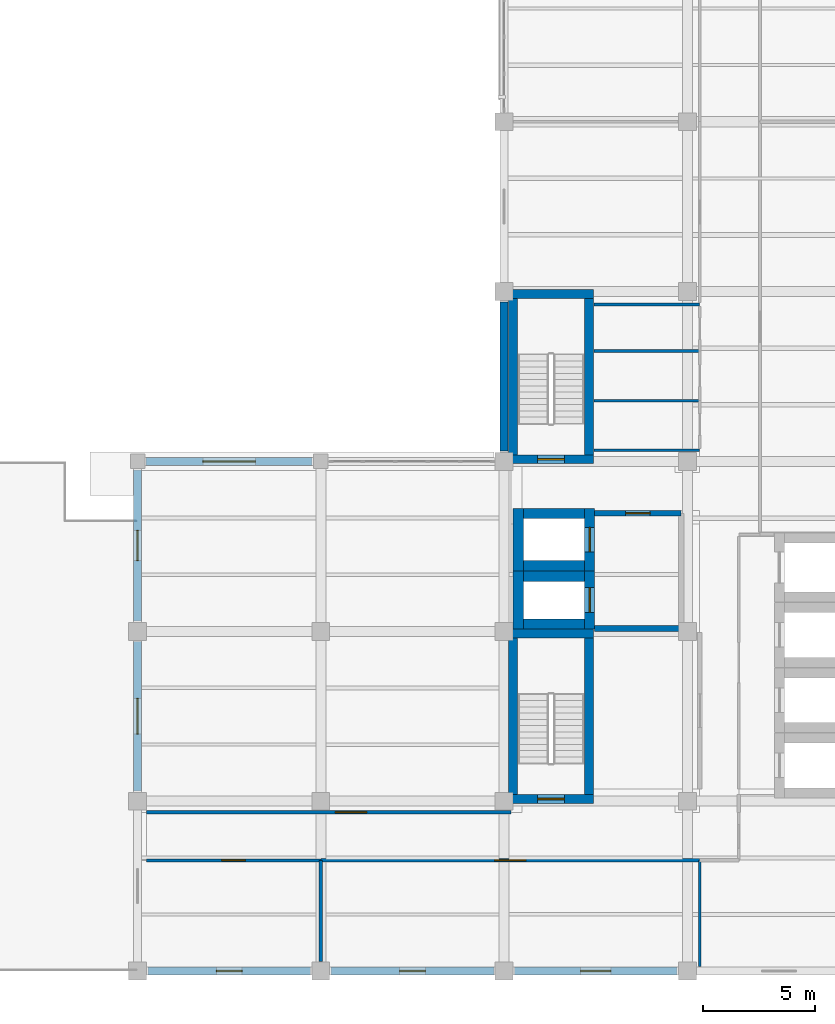
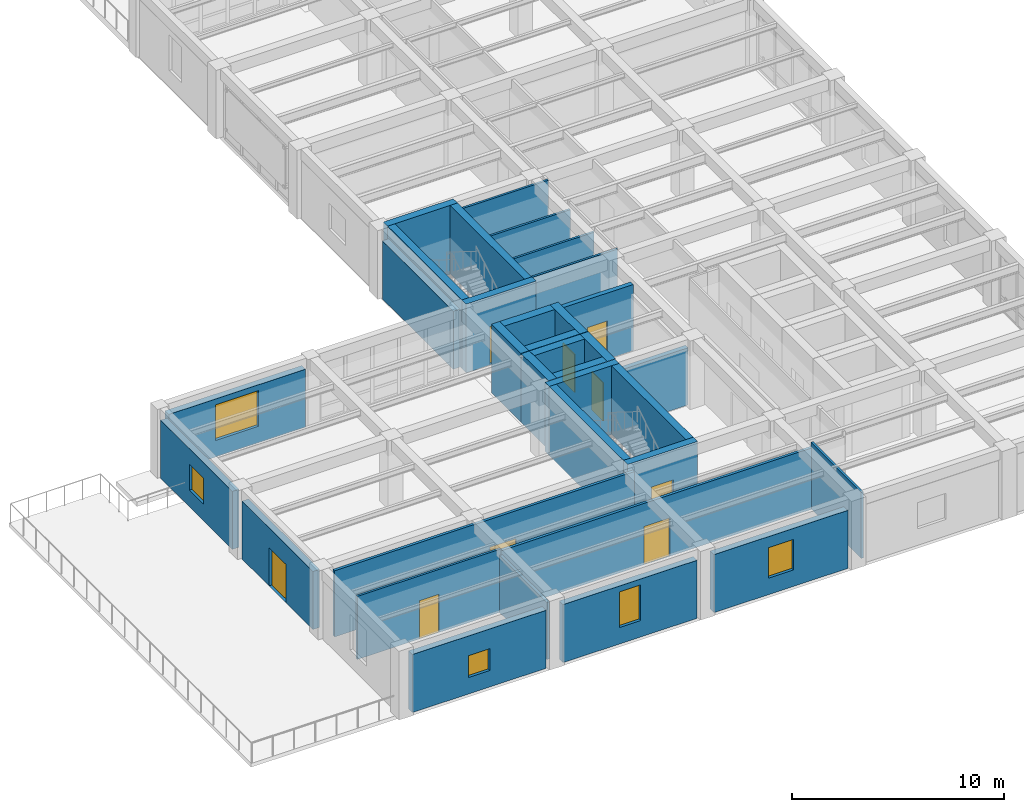
# One storey, part 7 of 14: 34 walls, 9 doors, 5 windows, 14 openings.
"""IFC4 building model written with IfcOpenShell, lengths in metres."""

from ifc_helpers import new_model, si_unit, direction, frame, frame_2d, origin, place, context, subcontext, project, spatial, rectangle, extrude, material, layer, layer_set, type_object, element, fill, save


model = new_model("IFC4")

# Units and contexts
model_context = context("Model", 3, precision=1e-05, world=origin(), true_north=direction((0.0, 1.0)))
body_context = subcontext(model_context, "Body", "Model", "MODEL_VIEW")
ifc_project = project(units=[si_unit("LENGTHUNIT", "METRE"), si_unit("AREAUNIT", "SQUARE_METRE"), si_unit("VOLUMEUNIT", "CUBIC_METRE"), si_unit("PLANEANGLEUNIT", "RADIAN"), si_unit("MASSUNIT", "GRAM", prefix="KILO")], contexts=[model_context])

# Site, building, storey
site_placement = place(None, origin())
site = spatial("IfcSite", under=ifc_project, at=site_placement, CompositionType="ELEMENT")
building_placement = place(site_placement, origin())
building = spatial("IfcBuilding", under=site, at=building_placement, Name="Qandaris Square Conservatory and Botanical Centre", CompositionType="ELEMENT")
storey_placement = place(building_placement, frame((0.0, 0.0, 36.60009765625)))
storey = spatial("IfcBuildingStorey", under=building, at=storey_placement, Name="L08", CompositionType="ELEMENT", Elevation=36.60009765625)

# Wall, opening, door
ifc_material_1 = material(Name="Gypsum Plasterboard", Category="gypsum")
ifc_layer_1 = layer(ifc_material_1, 0.14990234375)
ifc_layer_set_1 = layer_set([ifc_layer_1], Name="Gypsum Plasterboard")
wall_type_1 = type_object("IfcWallType", Name="Acoustic Laboratory Partition 150mm", PredefinedType="PARTITIONING", material=ifc_layer_set_1)
wall_1_placement = place(storey_placement, frame((147.949951171875, 21.550048828125, 0.0), z_axis=(0.0, 0.0, 1.0), x_axis=(-1.0, 0.0, 0.0)))
wall_1 = element("IfcWall", 1, at=wall_1_placement, inside=storey, type_object=wall_type_1, Name="Interior Partition IW-L08-0302", PredefinedType="PARTITIONING", context=body_context, shape_type="SweptSolid", body=[
    extrude(rectangle(XDim=16.949951171875, YDim=0.14990234375, at=frame_2d((8.47509765625, 0.0))), origin(), (0.0, 0.0, 1.0), 3.52490234375),
])
opening_1_placement = place(wall_1_placement, frame((7.77490234375, 0.0, 0.0)))
opening_1 = element("IfcOpeningElement", 2, at=opening_1_placement, cuts=wall_1, Name="Opening D-LAB1", PredefinedType="OPENING", context=body_context, shape_type="SweptSolid", body=[
    extrude(rectangle(XDim=1.39990234375, YDim=2.199951171875, at=frame_2d((0.699951171875, 1.10009765625))), frame((0.0, 0.0869140625, 0.0), z_axis=(0.0, -1.0, 0.0), x_axis=(1.0, 0.0, 0.0)), (0.0, 0.0, 1.0), 0.173828125),
])
ifc_material_2 = material(Name="Engineered Oak Timber", Category="wood")
door_type_1 = type_object("IfcDoorType", Name="Research Laboratory Leaf-and-Half Door 1400x2200", OperationType="DOUBLE_DOOR_SINGLE_SWING", PredefinedType="DOOR", material=ifc_material_2)
door_1_placement = place(opening_1_placement, frame((1.39990234375, 0.0, 0.0), z_axis=(0.0, 0.0, 1.0), x_axis=(-1.0, 0.0, 0.0)))
door_1 = element("IfcDoor", 3, at=door_1_placement, inside=storey, type_object=door_type_1, Name="DR-0270 Date Palm Genomics Suite Door", OperationType="DOUBLE_DOOR_SINGLE_SWING", OverallHeight=2.199951171875, OverallWidth=1.39990234375, PredefinedType="DOOR", context=body_context, shape_type="SweptSolid", body=[
    extrude(rectangle(XDim=1.39990234375, YDim=2.199951171875, at=frame_2d((0.699951171875, 1.10009765625))), frame((0.0, 0.02490234375, 0.0), z_axis=(0.0, -1.0, 0.0), x_axis=(1.0, 0.0, 0.0)), (0.0, 0.0, 1.0), 0.050048828125),
])
fill(opening_1, door_1)

wall_2_placement = place(storey_placement, frame((123.199951171875, 23.699951171875, 0.0), z_axis=(0.0, 0.0, 1.0), x_axis=(1.0, 0.0, 0.0)))
wall_2 = element("IfcWall", 4, at=wall_2_placement, inside=storey, type_object=wall_type_1, Name="Interior Partition IW-L08-0310", PredefinedType="PARTITIONING", context=body_context, shape_type="SweptSolid", body=[
    extrude(rectangle(XDim=16.300048828125, YDim=0.14990234375, at=frame_2d((8.14990234375, 0.0))), origin(), (0.0, 0.0, 1.0), 3.804931640625),
])
opening_2_placement = place(wall_2_placement, frame((8.452880859375, 0.0, 0.0)))
opening_2 = element("IfcOpeningElement", 5, at=opening_2_placement, cuts=wall_2, Name="Opening D-LAB1", PredefinedType="OPENING", context=body_context, shape_type="SweptSolid", body=[
    extrude(rectangle(XDim=1.39990234375, YDim=2.199951171875, at=frame_2d((0.699951171875, 1.10009765625))), frame((0.0, 0.0869140625, 0.0), z_axis=(0.0, -1.0, 0.0), x_axis=(1.0, 0.0, 0.0)), (0.0, 0.0, 1.0), 0.173828125),
])
door_2_placement = place(opening_2_placement, frame((1.39990234375, 0.0, 0.0), z_axis=(0.0, 0.0, 1.0), x_axis=(-1.0, 0.0, 0.0)))
door_2 = element("IfcDoor", 6, at=door_2_placement, inside=storey, type_object=door_type_1, Name="DR-0272 Rhizosphere Biology Research Laboratory Door", OperationType="DOUBLE_DOOR_SINGLE_SWING", OverallHeight=2.199951171875, OverallWidth=1.39990234375, PredefinedType="DOOR", context=body_context, shape_type="SweptSolid", body=[
    extrude(rectangle(XDim=1.39990234375, YDim=2.199951171875, at=frame_2d((0.699951171875, 1.10009765625))), frame((0.0, 0.02490234375, 0.0), z_axis=(0.0, -1.0, 0.0), x_axis=(1.0, 0.0, 0.0)), (0.0, 0.0, 1.0), 0.050048828125),
])
fill(opening_2, door_2)

# Wall
wall_3_placement = place(storey_placement, frame((131.0, 21.550048828125, 0.0), z_axis=(0.0, 0.0, 1.0), x_axis=(0.0, -1.0, 0.0)))
element("IfcWall", 7, at=wall_3_placement, inside=storey, type_object=wall_type_1, Name="Interior Partition IW-L08-0311", PredefinedType="PARTITIONING", context=body_context, shape_type="SweptSolid", body=[
    extrude(rectangle(XDim=4.530029296875, YDim=0.14990234375, at=frame_2d((2.26513671875, 0.0))), origin(), (0.0, 0.0, 1.0), 3.284912109375),
])

# Wall, opening, window
ifc_material_3 = material(Name="Precast concrete C40/50", Category="concrete")
ifc_layer_2 = layer(ifc_material_3, 0.360107421875)
ifc_layer_set_2 = layer_set([ifc_layer_2], Name="Precast concrete C40/50")
wall_type_2 = type_object("IfcWallType", Name="Architectural Precast Cladding Wall 360mm", PredefinedType="SOLIDWALL", material=ifc_layer_set_2)
wall_4_placement = place(storey_placement, frame((123.260009765625, 16.60009765625, 0.0), z_axis=(0.0, 0.0, 1.0), x_axis=(1.0, 0.0, 0.0)))
wall_4 = element("IfcWall", 8, at=wall_4_placement, inside=storey, type_object=wall_type_2, Name="Exterior Wall EW-TWR-L08-1-1", PredefinedType="SOLIDWALL", context=body_context, shape_type="SweptSolid", body=[
    extrude(rectangle(XDim=7.280029296875, YDim=0.360107421875, at=frame_2d((3.64013671875, 0.0))), origin(), (0.0, 0.0, 1.0), 3.3349609375),
])
opening_3_placement = place(wall_4_placement, frame((3.06494140625, 0.0, 0.949951171875)))
opening_3 = element("IfcOpeningElement", 9, at=opening_3_placement, cuts=wall_4, Name="Opening WN-17", PredefinedType="OPENING", context=body_context, shape_type="SweptSolid", body=[
    extrude(rectangle(XDim=1.14990234375, YDim=1.25, at=frame_2d((0.574951171875, 0.625))), frame((0.0, 0.19189453125, 0.0), z_axis=(0.0, -1.0, 0.0), x_axis=(1.0, 0.0, 0.0)), (0.0, 0.0, 1.0), 0.384033203125),
])
ifc_material_4 = material(Name="Tempered Low-E Glass", Category="glass")
window_type_1 = type_object("IfcWindowType", Name="Solar Control Window 1150x1250", PartitioningType="SINGLE_PANEL", PredefinedType="WINDOW", material=ifc_material_4)
window_1_placement = place(opening_3_placement, origin())
window_1 = element("IfcWindow", 10, at=window_1_placement, inside=storey, type_object=window_type_1, Name="Window EW-TWR-L08-1-1", OverallHeight=1.25, OverallWidth=1.14990234375, PartitioningType="SINGLE_PANEL", PredefinedType="WINDOW", context=body_context, shape_type="SweptSolid", body=[
    extrude(rectangle(XDim=1.14990234375, YDim=1.25, at=frame_2d((0.574951171875, 0.625))), frame((0.0, 0.030029296875, 0.0), z_axis=(0.0, -1.0, 0.0), x_axis=(1.0, 0.0, 0.0)), (0.0, 0.0, 1.0), 0.06005859375),
])
fill(opening_3, window_1)

wall_5_placement = place(storey_placement, frame((131.4599609375, 16.60009765625, 0.0), z_axis=(0.0, 0.0, 1.0), x_axis=(1.0, 0.0, 0.0)))
wall_5 = element("IfcWall", 11, at=wall_5_placement, inside=storey, type_object=wall_type_2, Name="Exterior Wall EW-TWR-L08-1-2", PredefinedType="SOLIDWALL", context=body_context, shape_type="SweptSolid", body=[
    extrude(rectangle(XDim=7.280029296875, YDim=0.360107421875, at=frame_2d((3.64013671875, 0.0))), origin(), (0.0, 0.0, 1.0), 3.3349609375),
])
opening_4_placement = place(wall_5_placement, frame((3.06494140625, 0.0, 0.949951171875)))
opening_4 = element("IfcOpeningElement", 12, at=opening_4_placement, cuts=wall_5, Name="Opening WN-20", PredefinedType="OPENING", context=body_context, shape_type="SweptSolid", body=[
    extrude(rectangle(XDim=1.14990234375, YDim=2.050048828125, at=frame_2d((0.574951171875, 1.02490234375))), frame((0.0, 0.19189453125, 0.0), z_axis=(0.0, -1.0, 0.0), x_axis=(1.0, 0.0, 0.0)), (0.0, 0.0, 1.0), 0.384033203125),
])
window_type_2 = type_object("IfcWindowType", Name="Solar Control Window 1150x2050", PartitioningType="SINGLE_PANEL", PredefinedType="WINDOW", material=ifc_material_4)
window_2_placement = place(opening_4_placement, origin())
window_2 = element("IfcWindow", 13, at=window_2_placement, inside=storey, type_object=window_type_2, Name="Window EW-TWR-L08-1-2", OverallHeight=2.050048828125, OverallWidth=1.14990234375, PartitioningType="SINGLE_PANEL", PredefinedType="WINDOW", context=body_context, shape_type="SweptSolid", body=[
    extrude(rectangle(XDim=1.14990234375, YDim=2.050048828125, at=frame_2d((0.574951171875, 1.02490234375))), frame((0.0, 0.030029296875, 0.0), z_axis=(0.0, -1.0, 0.0), x_axis=(1.0, 0.0, 0.0)), (0.0, 0.0, 1.0), 0.06005859375),
])
fill(opening_4, window_2)

wall_6_placement = place(storey_placement, frame((139.659912109375, 16.60009765625, 0.0), z_axis=(0.0, 0.0, 1.0), x_axis=(1.0, 0.0, 0.0)))
wall_6 = element("IfcWall", 14, at=wall_6_placement, inside=storey, type_object=wall_type_2, Name="Exterior Wall EW-TWR-L08-1-3", PredefinedType="SOLIDWALL", context=body_context, shape_type="SweptSolid", body=[
    extrude(rectangle(XDim=7.280029296875, YDim=0.360107421875, at=frame_2d((3.64013671875, 0.0))), origin(), (0.0, 0.0, 1.0), 3.3349609375),
])
opening_5_placement = place(wall_6_placement, frame((2.965087890625, 0.0, 0.949951171875)))
opening_5 = element("IfcOpeningElement", 15, at=opening_5_placement, cuts=wall_6, Name="Opening WN-23", PredefinedType="OPENING", context=body_context, shape_type="SweptSolid", body=[
    extrude(rectangle(XDim=1.35009765625, YDim=1.75, at=frame_2d((0.675048828125, 0.875))), frame((0.0, 0.19189453125, 0.0), z_axis=(0.0, -1.0, 0.0), x_axis=(1.0, 0.0, 0.0)), (0.0, 0.0, 1.0), 0.384033203125),
])
window_type_3 = type_object("IfcWindowType", Name="Solar Control Window 1350x1750", PartitioningType="SINGLE_PANEL", PredefinedType="WINDOW", material=ifc_material_4)
window_3_placement = place(opening_5_placement, origin())
window_3 = element("IfcWindow", 16, at=window_3_placement, inside=storey, type_object=window_type_3, Name="Window EW-TWR-L08-1-3", OverallHeight=1.75, OverallWidth=1.35009765625, PartitioningType="SINGLE_PANEL", PredefinedType="WINDOW", context=body_context, shape_type="SweptSolid", body=[
    extrude(rectangle(XDim=1.35009765625, YDim=1.75, at=frame_2d((0.675048828125, 0.875))), frame((0.0, 0.030029296875, 0.0), z_axis=(0.0, -1.0, 0.0), x_axis=(1.0, 0.0, 0.0)), (0.0, 0.0, 1.0), 0.06005859375),
])
fill(opening_5, window_3)

# Wall
wall_7_placement = place(storey_placement, frame((139.199951171875, 46.5400390625, 0.0), z_axis=(0.0, 0.0, 1.0), x_axis=(0.0, -1.0, 0.0)))
element("IfcWall", 17, at=wall_7_placement, inside=storey, type_object=wall_type_2, Name="Exterior Wall EW-TWR-L08-4-4", PredefinedType="SOLIDWALL", context=body_context, shape_type="SweptSolid", body=[
    extrude(rectangle(XDim=6.679931640625, YDim=0.360107421875, at=frame_2d((3.33984375, 0.0))), origin(), (0.0, 0.0, 1.0), 3.3349609375),
])

# Wall, opening, window
wall_8_placement = place(storey_placement, frame((130.614990234375, 39.39990234375, 0.0), z_axis=(0.0, 0.0, 1.0), x_axis=(-1.0, 0.0, 0.0)))
wall_8 = element("IfcWall", 18, at=wall_8_placement, inside=storey, type_object=wall_type_2, Name="Exterior Wall EW-TWR-L08-5-2", PredefinedType="SOLIDWALL", context=body_context, shape_type="SweptSolid", body=[
    extrude(rectangle(XDim=7.429931640625, YDim=0.360107421875, at=frame_2d((3.71484375, 0.0))), origin(), (0.0, 0.0, 1.0), 3.3349609375),
])
opening_6_placement = place(wall_8_placement, frame((2.5400390625, 0.0, 0.949951171875)))
opening_6 = element("IfcOpeningElement", 19, at=opening_6_placement, cuts=wall_8, Name="Opening WN-40", PredefinedType="OPENING", context=body_context, shape_type="SweptSolid", body=[
    extrude(rectangle(XDim=2.35009765625, YDim=2.050048828125, at=frame_2d((1.175048828125, 1.02490234375))), frame((0.0, 0.19189453125, 0.0), z_axis=(0.0, -1.0, 0.0), x_axis=(1.0, 0.0, 0.0)), (0.0, 0.0, 1.0), 0.384033203125),
])
window_type_4 = type_object("IfcWindowType", Name="Solar Control Window 2350x2050", PartitioningType="DOUBLE_PANEL_VERTICAL", PredefinedType="WINDOW", material=ifc_material_4)
window_4_placement = place(opening_6_placement, origin())
window_4 = element("IfcWindow", 20, at=window_4_placement, inside=storey, type_object=window_type_4, Name="Window EW-TWR-L08-5-2", OverallHeight=2.050048828125, OverallWidth=2.35009765625, PartitioningType="DOUBLE_PANEL_VERTICAL", PredefinedType="WINDOW", context=body_context, shape_type="SweptSolid", body=[
    extrude(rectangle(XDim=2.35009765625, YDim=2.050048828125, at=frame_2d((1.175048828125, 1.02490234375))), frame((0.0, 0.030029296875, 0.0), z_axis=(0.0, -1.0, 0.0), x_axis=(1.0, 0.0, 0.0)), (0.0, 0.0, 1.0), 0.06005859375),
])
fill(opening_6, window_4)

wall_9_placement = place(storey_placement, frame((122.800048828125, 39.014892578125, 0.0), z_axis=(0.0, 0.0, 1.0), x_axis=(0.0, -1.0, 0.0)))
wall_9 = element("IfcWall", 21, at=wall_9_placement, inside=storey, type_object=wall_type_2, Name="Exterior Wall EW-TWR-L08-6-1", PredefinedType="SOLIDWALL", context=body_context, shape_type="SweptSolid", body=[
    extrude(rectangle(XDim=6.7548828125, YDim=0.360107421875, at=frame_2d((3.37744140625, 0.0))), origin(), (0.0, 0.0, 1.0), 3.3349609375),
])
opening_7_placement = place(wall_9_placement, frame((2.702392578125, 0.0, 0.949951171875)))
opening_7 = element("IfcOpeningElement", 22, at=opening_7_placement, cuts=wall_9, Name="Opening WN-22", PredefinedType="OPENING", context=body_context, shape_type="SweptSolid", body=[
    extrude(rectangle(XDim=1.35009765625, YDim=1.5, at=frame_2d((0.675048828125, 0.75))), frame((0.0, 0.19189453125, 0.0), z_axis=(0.0, -1.0, 0.0), x_axis=(1.0, 0.0, 0.0)), (0.0, 0.0, 1.0), 0.384033203125),
])
window_type_5 = type_object("IfcWindowType", Name="Solar Control Window 1350x1500", PartitioningType="SINGLE_PANEL", PredefinedType="WINDOW", material=ifc_material_4)
window_5_placement = place(opening_7_placement, origin())
window_5 = element("IfcWindow", 23, at=window_5_placement, inside=storey, type_object=window_type_5, Name="Window EW-TWR-L08-6-1", OverallHeight=1.5, OverallWidth=1.35009765625, PartitioningType="SINGLE_PANEL", PredefinedType="WINDOW", context=body_context, shape_type="SweptSolid", body=[
    extrude(rectangle(XDim=1.35009765625, YDim=1.5, at=frame_2d((0.675048828125, 0.75))), frame((0.0, 0.030029296875, 0.0), z_axis=(0.0, -1.0, 0.0), x_axis=(1.0, 0.0, 0.0)), (0.0, 0.0, 1.0), 0.06005859375),
])
fill(opening_7, window_5)

# Wall, opening, door
wall_10_placement = place(storey_placement, frame((122.800048828125, 31.340087890625, 0.0), z_axis=(0.0, 0.0, 1.0), x_axis=(0.0, -1.0, 0.0)))
wall_10 = element("IfcWall", 24, at=wall_10_placement, inside=storey, type_object=wall_type_2, Name="Exterior Wall EW-TWR-L08-6-2", PredefinedType="SOLIDWALL", context=body_context, shape_type="SweptSolid", body=[
    extrude(rectangle(XDim=6.68017578125, YDim=0.360107421875, at=frame_2d((3.340087890625, 0.0))), origin(), (0.0, 0.0, 1.0), 3.3349609375),
])
opening_8_placement = place(wall_10_placement, frame((2.5400390625, 0.0, 0.0)))
opening_8 = element("IfcOpeningElement", 25, at=opening_8_placement, cuts=wall_10, Name="Opening ED-T4", PredefinedType="OPENING", context=body_context, shape_type="SweptSolid", body=[
    extrude(rectangle(XDim=1.60009765625, YDim=2.199951171875, at=frame_2d((0.800048828125, 1.10009765625))), frame((0.0, 0.19189453125, 0.0), z_axis=(0.0, -1.0, 0.0), x_axis=(1.0, 0.0, 0.0)), (0.0, 0.0, 1.0), 0.384033203125),
])
ifc_material_5 = material(Name="Anodised Aluminium", Category="aluminium")
door_type_2 = type_object("IfcDoorType", Name="Terrace Garden Glazed Access Door 1600x2200", OperationType="DOUBLE_DOOR_SINGLE_SWING", PredefinedType="DOOR", material=ifc_material_5)
door_3_placement = place(opening_8_placement, frame((1.60009765625, 0.0, 0.0), z_axis=(0.0, 0.0, 1.0), x_axis=(-1.0, 0.0, 0.0)))
door_3 = element("IfcDoor", 26, at=door_3_placement, inside=storey, type_object=door_type_2, Name="DR-0285 Exterior Exit Door TD-TER-L08W", OperationType="DOUBLE_DOOR_SINGLE_SWING", OverallHeight=2.199951171875, OverallWidth=1.60009765625, PredefinedType="DOOR", context=body_context, shape_type="SweptSolid", body=[
    extrude(rectangle(XDim=1.60009765625, YDim=2.199951171875, at=frame_2d((0.800048828125, 1.10009765625))), frame((0.0, 0.02490234375, 0.0), z_axis=(0.0, -1.0, 0.0), x_axis=(1.0, 0.0, 0.0)), (0.0, 0.0, 1.0), 0.050048828125),
])
fill(opening_8, door_3)

ifc_material_6 = material(Name="Concrete C40/50", Category="concrete")
ifc_layer_3 = layer(ifc_material_6, 0.25)
ifc_layer_set_3 = layer_set([ifc_layer_3], Name="Concrete C40/50")
wall_type_3 = type_object("IfcWallType", Name="Firefighting Lobby Compartment Wall 250mm", PredefinedType="SOLIDWALL", material=ifc_layer_set_3)
wall_11_placement = place(storey_placement, frame((143.25, 37.074951171875, 0.0), z_axis=(0.0, 0.0, 1.0), x_axis=(1.0, 0.0, 0.0)))
wall_11 = element("IfcWall", 27, at=wall_11_placement, inside=storey, type_object=wall_type_3, Name="Firefighting Lobby Wall North (L08)", PredefinedType="SOLIDWALL", context=body_context, shape_type="SweptSolid", body=[
    extrude(rectangle(XDim=3.875, YDim=0.25, at=frame_2d((1.9375, 0.0))), origin(), (0.0, 0.0, 1.0), 3.804931640625),
])
opening_9_placement = place(wall_11_placement, frame((1.387451171875, 0.0, 0.0)))
opening_9 = element("IfcOpeningElement", 28, at=opening_9_placement, cuts=wall_11, Name="Opening D-FFL", PredefinedType="OPENING", context=body_context, shape_type="SweptSolid", body=[
    extrude(rectangle(XDim=1.10009765625, YDim=2.199951171875, at=frame_2d((0.550048828125, 1.10009765625))), frame((0.0, 0.136962890625, 0.0), z_axis=(0.0, -1.0, 0.0), x_axis=(1.0, 0.0, 0.0)), (0.0, 0.0, 1.0), 0.27392578125),
])
ifc_material_7 = material(Name="Steel S355", Category="steel")
door_type_3 = type_object("IfcDoorType", Name="Firefighting Lobby Smoke-Seal Door 1100x2200", OperationType="NOTDEFINED", PredefinedType="DOOR", material=ifc_material_7)
door_4_placement = place(opening_9_placement, origin())
door_4 = element("IfcDoor", 29, at=door_4_placement, inside=storey, type_object=door_type_3, Name="DR-0268 Firefighting Lobby Door (L08)", OperationType="SINGLE_SWING_LEFT", OverallHeight=2.199951171875, OverallWidth=1.10009765625, PredefinedType="DOOR", context=body_context, shape_type="SweptSolid", body=[
    extrude(rectangle(XDim=1.10009765625, YDim=2.199951171875, at=frame_2d((0.550048828125, 1.10009765625))), frame((0.0, 0.02490234375, 0.0), z_axis=(0.0, -1.0, 0.0), x_axis=(1.0, 0.0, 0.0)), (0.0, 0.0, 1.0), 0.050048828125),
])
fill(opening_9, door_4)

# Walls
wall_12_placement = place(storey_placement, frame((143.25, 31.925048828125, 0.0), z_axis=(0.0, 0.0, 1.0), x_axis=(1.0, 0.0, 0.0)))
element("IfcWall", 30, at=wall_12_placement, inside=storey, type_object=wall_type_3, Name="Firefighting Lobby Wall South (L08)", PredefinedType="SOLIDWALL", context=body_context, shape_type="SweptSolid", body=[
    extrude(rectangle(XDim=3.875, YDim=0.25, at=frame_2d((1.9375, 0.0))), origin(), (0.0, 0.0, 1.0), 3.284912109375),
])
ifc_material_8 = material(Name="Concrete C50/60", Category="concrete")
ifc_layer_4 = layer(ifc_material_8, 0.449951171875)
ifc_layer_set_4 = layer_set([ifc_layer_4], Name="Concrete C50/60")
wall_type_4 = type_object("IfcWallType", Name="RC Coupled Core Shear Wall 450mm", PredefinedType="SHEAR", material=ifc_layer_set_4)
for number, where, z_axis, x_axis, name in (
    (31, (140.06005859375, 32.135009765625, 0.0), (0.0, 0.0, 1.0), (1.0, 0.0, 0.0), "Lift FFL1 Shaft Wall South (L08)"),
    (32, (140.06005859375, 34.264892578125, 0.0), (0.0, 0.0, 1.0), (1.0, 0.0, 0.0), "Lift FFL1 Shaft Wall North (L08)"),
):
    element("IfcWall", number, at=place(storey_placement, frame(where, z_axis=z_axis, x_axis=x_axis)), inside=storey, type_object=wall_type_4, Name=name, PredefinedType="SHEAR", context=body_context, shape_type="SweptSolid", body=[
        extrude(rectangle(XDim=2.739990234375, YDim=0.449951171875, at=frame_2d((1.3701171875, 0.0))), origin(), (0.0, 0.0, 1.0), 3.949951171875),
    ])
wall_13_placement = place(storey_placement, frame((139.8349609375, 31.909912109375, 0.0), z_axis=(0.0, 0.0, 1.0), x_axis=(0.0, 1.0, 0.0)))
element("IfcWall", 33, at=wall_13_placement, inside=storey, type_object=wall_type_4, Name="Lift FFL1 Shaft Wall West (L08)", PredefinedType="SHEAR", context=body_context, shape_type="SweptSolid", body=[
    extrude(rectangle(XDim=2.580078125, YDim=0.449951171875, at=frame_2d((1.2900390625, 0.0))), origin(), (0.0, 0.0, 1.0), 3.949951171875),
])

# Wall, opening, door
wall_14_placement = place(storey_placement, frame((143.02490234375, 31.909912109375, 0.0), z_axis=(0.0, 0.0, 1.0), x_axis=(0.0, 1.0, 0.0)))
wall_14 = element("IfcWall", 34, at=wall_14_placement, inside=storey, type_object=wall_type_4, Name="Lift FFL1 Shaft Wall East (L08)", PredefinedType="SHEAR", context=body_context, shape_type="SweptSolid", body=[
    extrude(rectangle(XDim=2.580078125, YDim=0.449951171875, at=frame_2d((1.2900390625, 0.0))), origin(), (0.0, 0.0, 1.0), 3.949951171875),
])
opening_10_placement = place(wall_14_placement, frame((0.739990234375, 0.0, 0.0)))
opening_10 = element("IfcOpeningElement", 35, at=opening_10_placement, cuts=wall_14, Name="Opening LD-FFL", PredefinedType="OPENING", context=body_context, shape_type="SweptSolid", body=[
    extrude(rectangle(XDim=1.10009765625, YDim=2.199951171875, at=frame_2d((0.550048828125, 1.10009765625))), frame((0.0, 0.23681640625, 0.0), z_axis=(0.0, -1.0, 0.0), x_axis=(1.0, 0.0, 0.0)), (0.0, 0.0, 1.0), 0.473876953125),
])
door_type_4 = type_object("IfcDoorType", Name="Firefighting Lift Sliding Landing Door 1100x2200", OperationType="DOUBLE_DOOR_SLIDING", PredefinedType="DOOR", material=ifc_material_7)
door_5_placement = place(opening_10_placement, origin())
door_5 = element("IfcDoor", 36, at=door_5_placement, inside=storey, type_object=door_type_4, Name="DR-0286 Lift FFL1 Landing Door (L08)", OperationType="DOUBLE_DOOR_SLIDING", OverallHeight=2.199951171875, OverallWidth=1.10009765625, PredefinedType="DOOR", context=body_context, shape_type="SweptSolid", body=[
    extrude(rectangle(XDim=1.10009765625, YDim=2.199951171875, at=frame_2d((0.550048828125, 1.10009765625))), frame((0.0, 0.02490234375, 0.0), z_axis=(0.0, -1.0, 0.0), x_axis=(1.0, 0.0, 0.0)), (0.0, 0.0, 1.0), 0.050048828125),
])
fill(opening_10, door_5)

# Walls
for number, where, z_axis, x_axis, name in (
    (37, (140.06005859375, 34.735107421875, 0.0), (0.0, 0.0, 1.0), (1.0, 0.0, 0.0), "Lift FFL2 Shaft Wall South (L08)"),
    (38, (140.06005859375, 37.06494140625, 0.0), (0.0, 0.0, 1.0), (1.0, 0.0, 0.0), "Lift FFL2 Shaft Wall North (L08)"),
):
    element("IfcWall", number, at=place(storey_placement, frame(where, z_axis=z_axis, x_axis=x_axis)), inside=storey, type_object=wall_type_4, Name=name, PredefinedType="SHEAR", context=body_context, shape_type="SweptSolid", body=[
        extrude(rectangle(XDim=2.739990234375, YDim=0.449951171875, at=frame_2d((1.3701171875, 0.0))), origin(), (0.0, 0.0, 1.0), 3.949951171875),
    ])
wall_15_placement = place(storey_placement, frame((139.8349609375, 34.510009765625, 0.0), z_axis=(0.0, 0.0, 1.0), x_axis=(0.0, 1.0, 0.0)))
element("IfcWall", 39, at=wall_15_placement, inside=storey, type_object=wall_type_4, Name="Lift FFL2 Shaft Wall West (L08)", PredefinedType="SHEAR", context=body_context, shape_type="SweptSolid", body=[
    extrude(rectangle(XDim=2.780029296875, YDim=0.449951171875, at=frame_2d((1.39013671875, 0.0))), origin(), (0.0, 0.0, 1.0), 3.949951171875),
])

# Wall, opening, door
wall_16_placement = place(storey_placement, frame((143.02490234375, 34.510009765625, 0.0), z_axis=(0.0, 0.0, 1.0), x_axis=(0.0, 1.0, 0.0)))
wall_16 = element("IfcWall", 40, at=wall_16_placement, inside=storey, type_object=wall_type_4, Name="Lift FFL2 Shaft Wall East (L08)", PredefinedType="SHEAR", context=body_context, shape_type="SweptSolid", body=[
    extrude(rectangle(XDim=2.780029296875, YDim=0.449951171875, at=frame_2d((1.39013671875, 0.0))), origin(), (0.0, 0.0, 1.0), 3.949951171875),
])
opening_11_placement = place(wall_16_placement, frame((0.840087890625, 0.0, 0.0)))
opening_11 = element("IfcOpeningElement", 41, at=opening_11_placement, cuts=wall_16, Name="Opening LD-FFL", PredefinedType="OPENING", context=body_context, shape_type="SweptSolid", body=[
    extrude(rectangle(XDim=1.10009765625, YDim=2.199951171875, at=frame_2d((0.550048828125, 1.10009765625))), frame((0.0, 0.23681640625, 0.0), z_axis=(0.0, -1.0, 0.0), x_axis=(1.0, 0.0, 0.0)), (0.0, 0.0, 1.0), 0.473876953125),
])
door_6_placement = place(opening_11_placement, origin())
door_6 = element("IfcDoor", 42, at=door_6_placement, inside=storey, type_object=door_type_4, Name="DR-0287 Lift FFL2 Landing Door (L08)", OperationType="DOUBLE_DOOR_SLIDING", OverallHeight=2.199951171875, OverallWidth=1.10009765625, PredefinedType="DOOR", context=body_context, shape_type="SweptSolid", body=[
    extrude(rectangle(XDim=1.10009765625, YDim=2.199951171875, at=frame_2d((0.550048828125, 1.10009765625))), frame((0.0, 0.02490234375, 0.0), z_axis=(0.0, -1.0, 0.0), x_axis=(1.0, 0.0, 0.0)), (0.0, 0.0, 1.0), 0.050048828125),
])
fill(opening_11, door_6)

ifc_layer_5 = layer(ifc_material_8, 0.39990234375)
ifc_layer_set_5 = layer_set([ifc_layer_5], Name="Concrete C50/60")
wall_type_5 = type_object("IfcWallType", Name="RC Stair Core Shear Wall 400mm", PredefinedType="SHEAR", material=ifc_layer_set_5)
wall_17_placement = place(storey_placement, frame((139.39990234375, 24.300048828125, 0.0), z_axis=(0.0, 0.0, 1.0), x_axis=(1.0, 0.0, 0.0)))
wall_17 = element("IfcWall", 43, at=wall_17_placement, inside=storey, type_object=wall_type_5, Name="ST-1 Core Shear Wall South (L08)", PredefinedType="SHEAR", context=body_context, shape_type="SweptSolid", body=[
    extrude(rectangle(XDim=3.800048828125, YDim=0.39990234375, at=frame_2d((1.89990234375, 0.0))), origin(), (0.0, 0.0, 1.0), 3.949951171875),
])
opening_12_placement = place(wall_17_placement, frame((1.300048828125, 0.0, 0.0)))
opening_12 = element("IfcOpeningElement", 44, at=opening_12_placement, cuts=wall_17, Name="Opening D-ST1", PredefinedType="OPENING", context=body_context, shape_type="SweptSolid", body=[
    extrude(rectangle(XDim=1.199951171875, YDim=2.199951171875, at=frame_2d((0.60009765625, 1.10009765625))), frame((0.0, 0.2119140625, 0.0), z_axis=(0.0, -1.0, 0.0), x_axis=(1.0, 0.0, 0.0)), (0.0, 0.0, 1.0), 0.423828125),
])
door_type_5 = type_object("IfcDoorType", Name="Exit Stair Core Fire Door 1200x2200", OperationType="NOTDEFINED", PredefinedType="DOOR", material=ifc_material_7)
door_7_placement = place(opening_12_placement, origin())
door_7 = element("IfcDoor", 45, at=door_7_placement, inside=storey, type_object=door_type_5, Name="DR-0279 ST-1 Stair Core Door (L08)", OperationType="SINGLE_SWING_RIGHT", OverallHeight=2.199951171875, OverallWidth=1.199951171875, PredefinedType="DOOR", context=body_context, shape_type="SweptSolid", body=[
    extrude(rectangle(XDim=1.199951171875, YDim=2.199951171875, at=frame_2d((0.60009765625, 1.10009765625))), frame((0.0, 0.02490234375, 0.0), z_axis=(0.0, -1.0, 0.0), x_axis=(1.0, 0.0, 0.0)), (0.0, 0.0, 1.0), 0.050048828125),
])
fill(opening_12, door_7)

# Walls
wall_18_placement = place(storey_placement, frame((139.39990234375, 31.699951171875, 0.0), z_axis=(0.0, 0.0, 1.0), x_axis=(1.0, 0.0, 0.0)))
element("IfcWall", 46, at=wall_18_placement, inside=storey, type_object=wall_type_5, Name="ST-1 Core Shear Wall North (L08)", PredefinedType="SHEAR", context=body_context, shape_type="SweptSolid", body=[
    extrude(rectangle(XDim=3.800048828125, YDim=0.39990234375, at=frame_2d((1.89990234375, 0.0))), origin(), (0.0, 0.0, 1.0), 3.949951171875),
])
for number, where, z_axis, x_axis, name in (
    (47, (139.60009765625, 24.5, 0.0), (0.0, 0.0, 1.0), (0.0, 1.0, 0.0), "ST-1 Core Shear Wall West (L08)"),
    (48, (143.0, 24.5, 0.0), (0.0, 0.0, 1.0), (0.0, 1.0, 0.0), "ST-1 Core Shear Wall East (L08)"),
):
    element("IfcWall", number, at=place(storey_placement, frame(where, z_axis=z_axis, x_axis=x_axis)), inside=storey, type_object=wall_type_5, Name=name, PredefinedType="SHEAR", context=body_context, shape_type="SweptSolid", body=[
        extrude(rectangle(XDim=7.0, YDim=0.39990234375, at=frame_2d((3.5, 0.0))), origin(), (0.0, 0.0, 1.0), 3.949951171875),
    ])

# Wall, opening, door
wall_19_placement = place(storey_placement, frame((139.39990234375, 39.5, 0.0), z_axis=(0.0, 0.0, 1.0), x_axis=(1.0, 0.0, 0.0)))
wall_19 = element("IfcWall", 49, at=wall_19_placement, inside=storey, type_object=wall_type_5, Name="ST-2 Core Shear Wall South (L08)", PredefinedType="SHEAR", context=body_context, shape_type="SweptSolid", body=[
    extrude(rectangle(XDim=3.800048828125, YDim=0.39990234375, at=frame_2d((1.89990234375, 0.0))), origin(), (0.0, 0.0, 1.0), 3.949951171875),
])
opening_13_placement = place(wall_19_placement, frame((1.300048828125, 0.0, 0.0)))
opening_13 = element("IfcOpeningElement", 50, at=opening_13_placement, cuts=wall_19, Name="Opening D-ST1", PredefinedType="OPENING", context=body_context, shape_type="SweptSolid", body=[
    extrude(rectangle(XDim=1.199951171875, YDim=2.199951171875, at=frame_2d((0.60009765625, 1.10009765625))), frame((0.0, 0.2119140625, 0.0), z_axis=(0.0, -1.0, 0.0), x_axis=(1.0, 0.0, 0.0)), (0.0, 0.0, 1.0), 0.423828125),
])
door_8_placement = place(opening_13_placement, origin())
door_8 = element("IfcDoor", 51, at=door_8_placement, inside=storey, type_object=door_type_5, Name="DR-0280 ST-2 Stair Core Door (L08)", OperationType="SINGLE_SWING_RIGHT", OverallHeight=2.199951171875, OverallWidth=1.199951171875, PredefinedType="DOOR", context=body_context, shape_type="SweptSolid", body=[
    extrude(rectangle(XDim=1.199951171875, YDim=2.199951171875, at=frame_2d((0.60009765625, 1.10009765625))), frame((0.0, 0.02490234375, 0.0), z_axis=(0.0, -1.0, 0.0), x_axis=(1.0, 0.0, 0.0)), (0.0, 0.0, 1.0), 0.050048828125),
])
fill(opening_13, door_8)

# Walls
wall_20_placement = place(storey_placement, frame((139.39990234375, 46.89990234375, 0.0), z_axis=(0.0, 0.0, 1.0), x_axis=(1.0, 0.0, 0.0)))
element("IfcWall", 52, at=wall_20_placement, inside=storey, type_object=wall_type_5, Name="ST-2 Core Shear Wall North (L08)", PredefinedType="SHEAR", context=body_context, shape_type="SweptSolid", body=[
    extrude(rectangle(XDim=3.800048828125, YDim=0.39990234375, at=frame_2d((1.89990234375, 0.0))), origin(), (0.0, 0.0, 1.0), 3.949951171875),
])
for number, where, z_axis, x_axis, name in (
    (53, (139.60009765625, 39.699951171875, 0.0), (0.0, 0.0, 1.0), (0.0, 1.0, 0.0), "ST-2 Core Shear Wall West (L08)"),
    (54, (143.0, 39.699951171875, 0.0), (0.0, 0.0, 1.0), (0.0, 1.0, 0.0), "ST-2 Core Shear Wall East (L08)"),
):
    element("IfcWall", number, at=place(storey_placement, frame(where, z_axis=z_axis, x_axis=x_axis)), inside=storey, type_object=wall_type_5, Name=name, PredefinedType="SHEAR", context=body_context, shape_type="SweptSolid", body=[
        extrude(rectangle(XDim=7.0, YDim=0.39990234375, at=frame_2d((3.5, 0.0))), origin(), (0.0, 0.0, 1.0), 3.949951171875),
    ])
ifc_layer_6 = layer(ifc_material_1, 0.1201171875)
ifc_layer_set_6 = layer_set([ifc_layer_6], Name="Gypsum Plasterboard")
wall_type_6 = type_object("IfcWallType", Name="Standard Research Partition 120mm", PredefinedType="PARTITIONING", material=ifc_layer_set_6)
for number, where, z_axis, x_axis, name in (
    (55, (143.22998046875, 39.89990234375, 0.0), (0.0, 0.0, 1.0), (1.0, 0.0, 0.0), "Sanitary Toilet Partition Wall WCW-L08-SOUTH1"),
    (56, (143.22998046875, 46.419921875, 0.0), (0.0, 0.0, 1.0), (1.0, 0.0, 0.0), "Sanitary Toilet Partition Wall WCW-L08-NORTH1"),
):
    element("IfcWall", number, at=place(storey_placement, frame(where, z_axis=z_axis, x_axis=x_axis)), inside=storey, type_object=wall_type_6, Name=name, PredefinedType="PARTITIONING", context=body_context, shape_type="SweptSolid", body=[
        extrude(rectangle(XDim=4.719970703125, YDim=0.1201171875, at=frame_2d((2.35986328125, 0.0))), origin(), (0.0, 0.0, 1.0), 3.804931640625),
    ])
wall_21_placement = place(storey_placement, frame((143.22998046875, 42.1201171875, 0.0), z_axis=(0.0, 0.0, 1.0), x_axis=(1.0, 0.0, 0.0)))
element("IfcWall", 57, at=wall_21_placement, inside=storey, type_object=wall_type_6, Name="Interior Partition IW-L08-0296", PredefinedType="PARTITIONING", context=body_context, shape_type="SweptSolid", body=[
    extrude(rectangle(XDim=4.719970703125, YDim=0.1201171875, at=frame_2d((2.35986328125, 0.0))), origin(), (0.0, 0.0, 1.0), 3.4248046875),
])
wall_22_placement = place(storey_placement, frame((143.22998046875, 44.340087890625, 0.0), z_axis=(0.0, 0.0, 1.0), x_axis=(1.0, 0.0, 0.0)))
element("IfcWall", 58, at=wall_22_placement, inside=storey, type_object=wall_type_6, Name="Interior Partition IW-L08-0298", PredefinedType="PARTITIONING", context=body_context, shape_type="SweptSolid", body=[
    extrude(rectangle(XDim=4.719970703125, YDim=0.1201171875, at=frame_2d((2.35986328125, 0.0))), origin(), (0.0, 0.0, 1.0), 3.375),
])

# Wall, opening, door
wall_23_placement = place(storey_placement, frame((131.0, 21.550048828125, 0.0), z_axis=(0.0, 0.0, 1.0), x_axis=(-1.0, 0.0, 0.0)))
wall_23 = element("IfcWall", 59, at=wall_23_placement, inside=storey, type_object=wall_type_6, Name="Interior Partition IW-L08-0301", PredefinedType="PARTITIONING", context=body_context, shape_type="SweptSolid", body=[
    extrude(rectangle(XDim=7.800048828125, YDim=0.1201171875, at=frame_2d((3.89990234375, 0.0))), origin(), (0.0, 0.0, 1.0), 3.625),
])
opening_14_placement = place(wall_23_placement, frame((3.375, 0.0, 0.0)))
opening_14 = element("IfcOpeningElement", 60, at=opening_14_placement, cuts=wall_23, Name="Opening D-LAB2", PredefinedType="OPENING", context=body_context, shape_type="SweptSolid", body=[
    extrude(rectangle(XDim=1.050048828125, YDim=2.199951171875, at=frame_2d((0.52490234375, 1.10009765625))), frame((0.0, 0.072021484375, 0.0), z_axis=(0.0, -1.0, 0.0), x_axis=(1.0, 0.0, 0.0)), (0.0, 0.0, 1.0), 0.14404296875),
])
door_type_6 = type_object("IfcDoorType", Name="Analytical Laboratory Single Door 1050x2200", OperationType="NOTDEFINED", PredefinedType="DOOR", material=ifc_material_2)
door_9_placement = place(opening_14_placement, origin())
door_9 = element("IfcDoor", 61, at=door_9_placement, inside=storey, type_object=door_type_6, Name="DR-0273 Drought Proteomics Research Laboratory Door", OperationType="SINGLE_SWING_RIGHT", OverallHeight=2.199951171875, OverallWidth=1.050048828125, PredefinedType="DOOR", context=body_context, shape_type="SweptSolid", body=[
    extrude(rectangle(XDim=1.050048828125, YDim=2.199951171875, at=frame_2d((0.52490234375, 1.10009765625))), frame((0.0, 0.02490234375, 0.0), z_axis=(0.0, -1.0, 0.0), x_axis=(1.0, 0.0, 0.0)), (0.0, 0.0, 1.0), 0.050048828125),
])
fill(opening_14, door_9)

# Wall
wall_24_placement = place(storey_placement, frame((147.949951171875, 21.550048828125, 0.0), z_axis=(0.0, 0.0, 1.0), x_axis=(0.0, -1.0, 0.0)))
element("IfcWall", 62, at=wall_24_placement, inside=storey, type_object=wall_type_6, Name="Interior Partition IW-L08-0312", PredefinedType="PARTITIONING", context=body_context, shape_type="SweptSolid", body=[
    extrude(rectangle(XDim=4.739990234375, YDim=0.1201171875, at=frame_2d((2.3701171875, 0.0))), origin(), (0.0, 0.0, 1.0), 3.804931640625),
])

save(model, "model.ifc")
